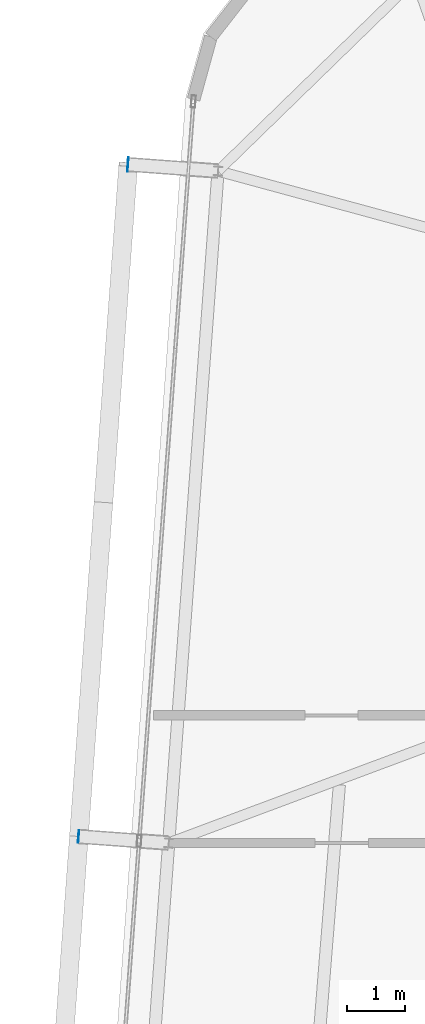
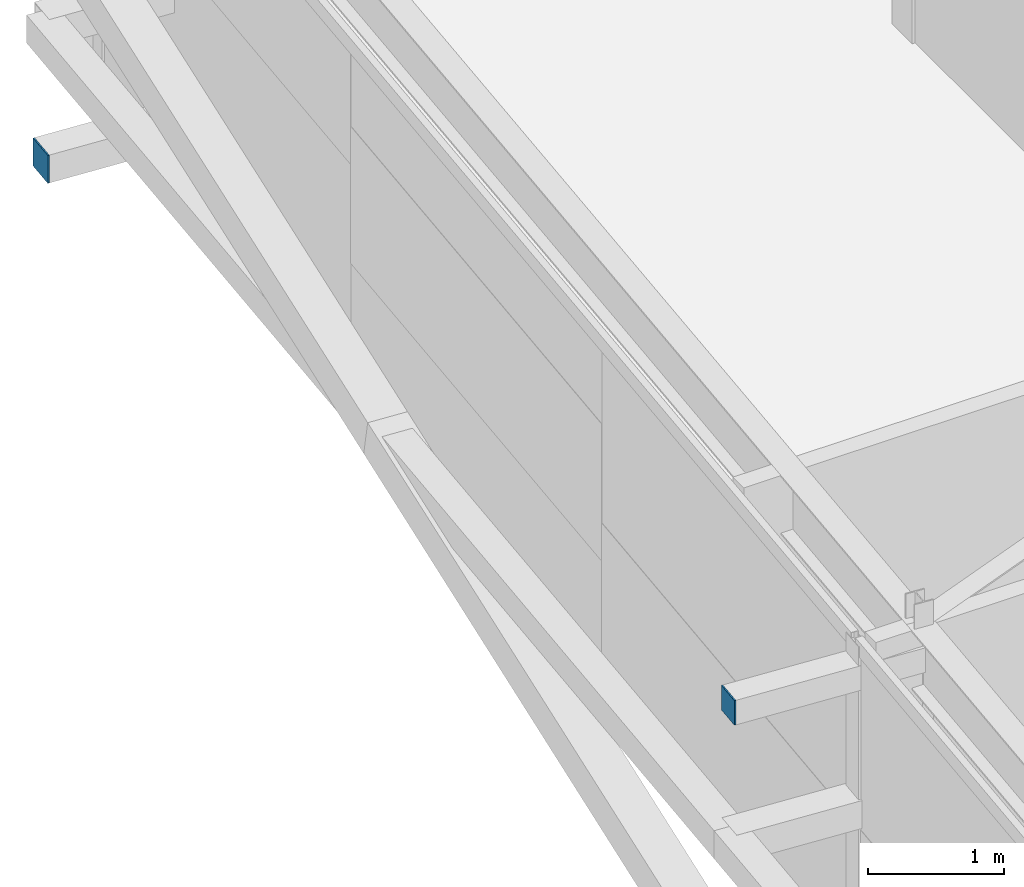
# One storey, part 26 of 34: 2 plates.
"""IFC4 building model written with IfcOpenShell, lengths in metres."""

from ifc_helpers import new_model, si_unit, direction, frame, origin, origin_2d, place, context, subcontext, project, spatial, rectangle, extrude, source, transform, mapped, material, layer, layer_set, type_object, element, save


model = new_model("IFC4")

# Units and contexts
model_context = context("Model", 3, precision=1e-05, world=origin(), true_north=direction((0.0, 1.0)))
body_context = subcontext(model_context, "Body", "Model", "MODEL_VIEW")
ifc_project = project(units=[si_unit("LENGTHUNIT", "METRE"), si_unit("AREAUNIT", "SQUARE_METRE"), si_unit("VOLUMEUNIT", "CUBIC_METRE"), si_unit("PLANEANGLEUNIT", "RADIAN"), si_unit("MASSUNIT", "GRAM", prefix="KILO")], contexts=[model_context])

# Site, building, storey
site_placement = place(None, origin())
site = spatial("IfcSite", under=ifc_project, at=site_placement, CompositionType="ELEMENT")
building_placement = place(site_placement, origin())
building = spatial("IfcBuilding", under=site, at=building_placement, Name="Taldren Reach Tower", CompositionType="ELEMENT")
storey_placement = place(building_placement, frame((0.0, 0.0, 246.050048828125)))
storey = spatial("IfcBuildingStorey", under=building, at=storey_placement, Name="L75", CompositionType="ELEMENT", Elevation=246.050048828125)

# Plates
ifc_material_1 = material(Name="Steel Gr 350 (C350L0)", Category="steel")
ifc_layer_1 = layer(ifc_material_1, 0.011962890625)
ifc_layer_set_1 = layer_set([ifc_layer_1], Name="Steel Gr 350 (C350L0)")
plate_type_1 = type_object("IfcPlateType", Name="PL-CAP-250", PredefinedType="SHEET", material=ifc_layer_set_1)
shared_shape_1 = source(origin(), body_context, "Body", "SweptSolid", [
    extrude(rectangle(XDim=0.011962890625, YDim=0.25, at=origin_2d()), origin(), (0.0, 0.0, 1.0), 0.25),
])
plate_1_placement = place(storey_placement, frame((12.406494140625, 33.483154296875, 0.094970703125), z_axis=(0.0, 0.0, 1.0), x_axis=(0.997314477224, -0.073238197128, 0.0)))
element("IfcPlate", 1, at=plate_1_placement, inside=storey, type_object=plate_type_1, Name="Tie strut end cap plate B5-W3 L75", PredefinedType="SHEET", context=body_context, shape_type="MappedRepresentation", body=[
    mapped(shared_shape_1, transform((0.0, 0.0, 0.0), scale=1.0)),
])
ifc_material_2 = material(Name="Steel Gr 450 (C450L0)", Category="steel")
ifc_layer_2 = layer(ifc_material_2, 0.011962890625)
ifc_layer_set_2 = layer_set([ifc_layer_2], Name="Steel Gr 450 (C450L0)")
plate_type_2 = type_object("IfcPlateType", Name="PL-CAP-220", PredefinedType="SHEET", material=ifc_layer_set_2)
shared_shape_2 = source(origin(), body_context, "Body", "SweptSolid", [
    extrude(rectangle(XDim=0.011962890625, YDim=0.219970703125, at=origin_2d()), origin(), (0.0, 0.0, 1.0), 0.219970703125),
])
plate_2_placement = place(storey_placement, frame((11.556884765625, 21.914306640625, 2.5400390625), z_axis=(0.0, 0.0, 1.0), x_axis=(0.997314477224, -0.073238197128, 0.0)))
element("IfcPlate", 2, at=plate_2_placement, inside=storey, type_object=plate_type_2, Name="Tie strut end cap plate B5-W2 L75", PredefinedType="SHEET", context=body_context, shape_type="MappedRepresentation", body=[
    mapped(shared_shape_2, transform((0.0, 0.0, 0.0), scale=1.0)),
])

save(model, "model.ifc")
